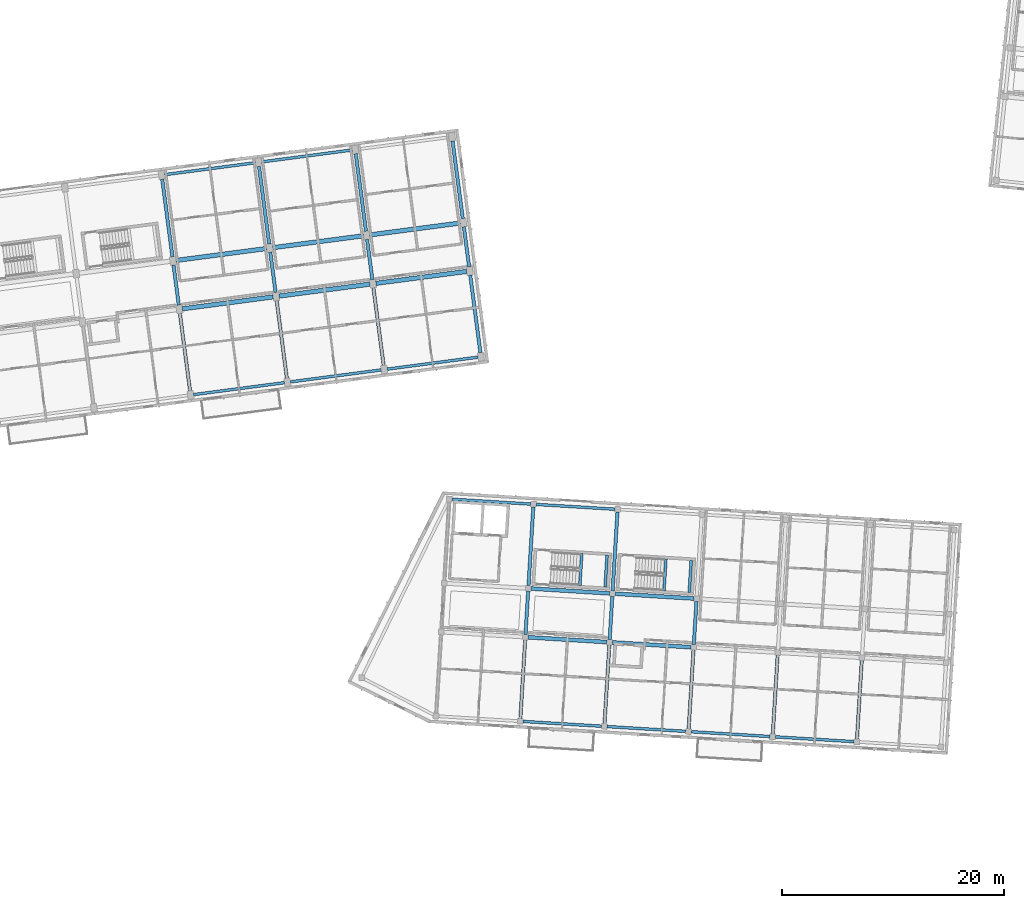
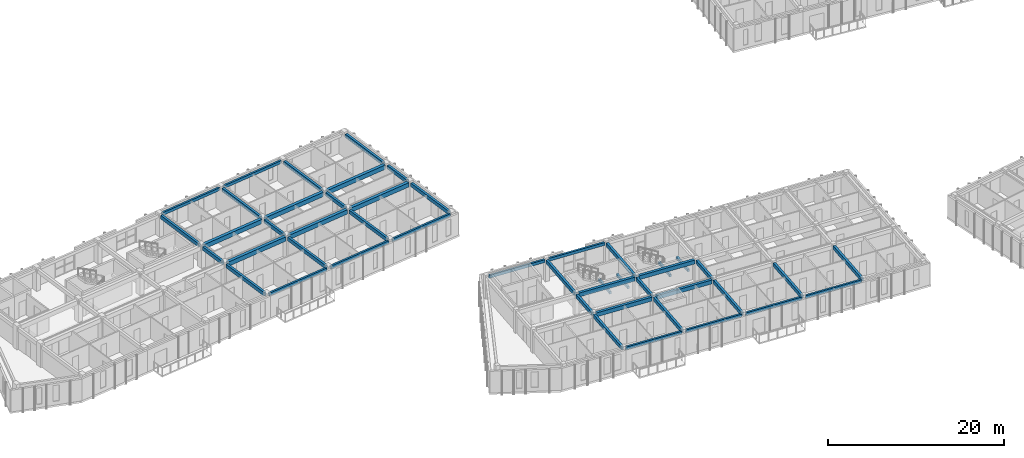
# One storey, part 5 of 68: 47 beams.
"""IFC4 building model written with IfcOpenShell, lengths in metres."""

from ifc_helpers import new_model, si_unit, direction, frame, origin, origin_2d, place, context, subcontext, project, spatial, rectangle, extrude, material, material_profile, profile_set, type_object, element, save


model = new_model("IFC4")

# Units and contexts
model_context = context("Model", 3, precision=1e-05, world=origin(), true_north=direction((0.0, 1.0)))
body_context = subcontext(model_context, "Body", "Model", "MODEL_VIEW")
ifc_project = project(units=[si_unit("LENGTHUNIT", "METRE"), si_unit("AREAUNIT", "SQUARE_METRE"), si_unit("VOLUMEUNIT", "CUBIC_METRE"), si_unit("PLANEANGLEUNIT", "RADIAN"), si_unit("MASSUNIT", "GRAM", prefix="KILO")], contexts=[model_context])

# Site, building, storey
site_placement = place(None, origin())
site = spatial("IfcSite", under=ifc_project, at=site_placement, CompositionType="ELEMENT")
building_placement = place(site_placement, origin())
building = spatial("IfcBuilding", under=site, at=building_placement, Name="Kestramere Prow Commons", CompositionType="ELEMENT")
storey_placement = place(building_placement, frame((0.0, 0.0, 18.14990234375)))
storey = spatial("IfcBuildingStorey", under=building, at=storey_placement, Name="L05", CompositionType="ELEMENT", Elevation=18.14990234375)

# Beams
ifc_material_1 = material(Name="Precast concrete C40/50", Category="concrete")
ifc_material_profile_1 = material_profile(ifc_material_1, rectangle(XDim=0.39990234375, YDim=0.60009765625, at=origin_2d()), Name="PC-BM 400x600")
ifc_profile_set_1 = profile_set([ifc_material_profile_1], Name="Precast concrete C40/50")
beam_type_1 = type_object("IfcBeamType", Name="BM-A1 PC-BM 400x600", PredefinedType="BEAM", material=ifc_profile_set_1)
beam_1_placement = place(storey_placement, frame((36.628662109375, 83.215087890625, 2.7001953125), z_axis=(0.991443917843, 0.130533358852, 0.0), x_axis=(-0.130533358852, 0.991443917843, 0.0)))
element("IfcBeam", 1, at=beam_1_placement, inside=storey, type_object=beam_type_1, Name="Block A L05 Longitudinal Beam 2-4", PredefinedType="BEAM", context=body_context, shape_type="SweptSolid", body=[
    extrude(rectangle(XDim=0.39990234375, YDim=0.60009765625, at=origin_2d()), origin(), (0.0, 0.0, 1.0), 8.25),
])
beam_2_placement = place(storey_placement, frame((45.353515625, 84.36376953125, 2.7001953125), z_axis=(0.991447243185, 0.130508099291, 0.0), x_axis=(-0.130508099291, 0.991447243185, 0.0)))
element("IfcBeam", 2, at=beam_2_placement, inside=storey, type_object=beam_type_1, Name="Block A L05 Longitudinal Beam 2-5", PredefinedType="BEAM", context=body_context, shape_type="SweptSolid", body=[
    extrude(rectangle(XDim=0.39990234375, YDim=0.60009765625, at=origin_2d()), origin(), (0.0, 0.0, 1.0), 8.249755859375),
])
for number, where, z_axis, x_axis, name in (
    (3, (54.078125, 85.51220703125, 2.7001953125), (0.991443917843, 0.130533358852, 0.0), (-0.130533358852, 0.991443917843, 0.0), "Block A L05 Longitudinal Beam 2-6"),
    (4, (36.054443359375, 87.577392578125, 2.7001953125), (0.991443917843, 0.130533358852, 0.0), (-0.130533358852, 0.991443917843, 0.0), "Block A L05 Longitudinal Beam 3-4"),
    (5, (44.779052734375, 88.72607421875, 2.7001953125), (0.991443917843, 0.130533358852, 0.0), (-0.130533358852, 0.991443917843, 0.0), "Block A L05 Longitudinal Beam 3-5"),
):
    element("IfcBeam", number, at=place(storey_placement, frame(where, z_axis=z_axis, x_axis=x_axis)), inside=storey, type_object=beam_type_1, Name=name, PredefinedType="BEAM", context=body_context, shape_type="SweptSolid", body=[
        extrude(rectangle(XDim=0.39990234375, YDim=0.60009765625, at=origin_2d()), origin(), (0.0, 0.0, 1.0), 8.25),
    ])
beam_3_placement = place(storey_placement, frame((53.50390625, 89.874755859375, 2.7001953125), z_axis=(0.991447243185, 0.130508099291, 0.0), x_axis=(-0.130508099291, 0.991447243185, 0.0)))
element("IfcBeam", 6, at=beam_3_placement, inside=storey, type_object=beam_type_1, Name="Block A L05 Longitudinal Beam 3-6", PredefinedType="BEAM", context=body_context, shape_type="SweptSolid", body=[
    extrude(rectangle(XDim=0.39990234375, YDim=0.60009765625, at=origin_2d()), origin(), (0.0, 0.0, 1.0), 8.249755859375),
])
ifc_material_profile_2 = material_profile(ifc_material_1, rectangle(XDim=0.35009765625, YDim=0.550048828125, at=origin_2d()), Name="PC-BM 350x550")
ifc_profile_set_2 = profile_set([ifc_material_profile_2], Name="Precast concrete C40/50")
beam_type_2 = type_object("IfcBeamType", Name="BM-C1 PC-BM 350x550", PredefinedType="BEAM", material=ifc_profile_set_2)
for number, where, z_axis, x_axis, name in (
    (7, (67.79931640625, 53.606689453125, 2.72509765625), (0.998133472633, -0.061070212127, 0.0), (0.061070212127, 0.998133472633, 0.0), "Block C L05 Longitudinal Beam 2-2"),
    (8, (75.38525390625, 53.142578125, 2.72509765625), (0.998135568114, -0.061035953884, 0.0), (0.061035953884, 0.998135568114, 0.0), "Block C L05 Longitudinal Beam 2-3"),
):
    element("IfcBeam", number, at=place(storey_placement, frame(where, z_axis=z_axis, x_axis=x_axis)), inside=storey, type_object=beam_type_2, Name=name, PredefinedType="BEAM", context=body_context, shape_type="SweptSolid", body=[
        extrude(rectangle(XDim=0.35009765625, YDim=0.550048828125, at=origin_2d()), origin(), (0.0, 0.0, 1.0), 7.099853515625),
    ])
beam_4_placement = place(storey_placement, frame((68.06787109375, 57.998291015625, 2.72509765625), z_axis=(0.99813569621, -0.061033859059, 0.0), x_axis=(0.061033859059, 0.99813569621, 0.0)))
element("IfcBeam", 9, at=beam_4_placement, inside=storey, type_object=beam_type_2, Name="Block C L05 Longitudinal Beam 3-2", PredefinedType="BEAM", context=body_context, shape_type="SweptSolid", body=[
    extrude(rectangle(XDim=0.35009765625, YDim=0.550048828125, at=origin_2d()), origin(), (0.0, 0.0, 1.0), 7.10009765625),
])
beam_5_placement = place(storey_placement, frame((75.65380859375, 57.534423828125, 2.72509765625), z_axis=(0.998135568114, -0.061035953884, 0.0), x_axis=(0.061035953884, 0.998135568114, 0.0)))
element("IfcBeam", 10, at=beam_5_placement, inside=storey, type_object=beam_type_2, Name="Block C L05 Longitudinal Beam 3-3", PredefinedType="BEAM", context=body_context, shape_type="SweptSolid", body=[
    extrude(rectangle(XDim=0.35009765625, YDim=0.550048828125, at=origin_2d()), origin(), (0.0, 0.0, 1.0), 7.099853515625),
])
ifc_material_2 = material(Name="Concrete C40/50", Category="concrete")
ifc_material_profile_3 = material_profile(ifc_material_2, rectangle(XDim=0.25, YDim=0.35009765625, at=origin_2d()), Name="PC-BM 250x350")
ifc_profile_set_3 = profile_set([ifc_material_profile_3], Name="Concrete C40/50")
beam_type_3 = type_object("IfcBeamType", Name="BM-ST-TRIM", PredefinedType="BEAM", material=ifc_profile_set_3)
for number, where, z_axis, x_axis, name in (
    (11, (72.462158203125, 58.260498046875, 1.25), (0.061073995712, 0.99813324113, 0.0), (-0.99813324113, 0.061073995712, 0.0), "ST-C1 L05 Landing Trimmer Beam 1A"),
    (12, (74.73779296875, 58.121337890625, 1.25), (0.061073995712, 0.99813324113, 0.0), (-0.99813324113, 0.061073995712, 0.0), "ST-C1 L05 Landing Trimmer Beam 1B"),
):
    element("IfcBeam", number, at=place(storey_placement, frame(where, z_axis=z_axis, x_axis=x_axis)), inside=storey, type_object=beam_type_3, Name=name, PredefinedType="BEAM", context=body_context, shape_type="SweptSolid", body=[
        extrude(rectangle(XDim=0.25, YDim=0.35009765625, at=origin_2d()), origin(), (0.0, 0.0, 1.0), 2.89013671875),
    ])
for number, where, z_axis, x_axis, name in (
    (13, (80.0478515625, 57.796630859375, 1.25), (0.06107914562, 0.998132926003, 0.0), (-0.998132926003, 0.06107914562, 0.0), "ST-C2 L05 Landing Trimmer Beam 1A"),
    (14, (82.32373046875, 57.657470703125, 1.25), (0.06107914562, 0.998132926003, 0.0), (-0.998132926003, 0.06107914562, 0.0), "ST-C2 L05 Landing Trimmer Beam 1B"),
):
    element("IfcBeam", number, at=place(storey_placement, frame(where, z_axis=z_axis, x_axis=x_axis)), inside=storey, type_object=beam_type_3, Name=name, PredefinedType="BEAM", context=body_context, shape_type="SweptSolid", body=[
        extrude(rectangle(XDim=0.25, YDim=0.35009765625, at=origin_2d()), origin(), (0.0, 0.0, 1.0), 2.889892578125),
    ])
ifc_material_profile_4 = material_profile(ifc_material_1, rectangle(XDim=0.300048828125, YDim=0.5, at=origin_2d()), Name="PC-BM 300x500")
ifc_profile_set_4 = profile_set([ifc_material_profile_4], Name="Precast concrete C40/50")
beam_type_4 = type_object("IfcBeamType", Name="BM-TIE-01 PC-BM 300x500", PredefinedType="BEAM", material=ifc_profile_set_4)
beam_6_placement = place(storey_placement, frame((37.3251953125, 75.817626953125, 2.75), z_axis=(-0.130519009654, 0.99144580695, 0.0), x_axis=(-0.99144580695, -0.130519009654, 0.0)))
element("IfcBeam", 15, at=beam_6_placement, inside=storey, type_object=beam_type_4, Name="Block A L05 Transverse Beam 4-1", PredefinedType="BEAM", context=body_context, shape_type="SweptSolid", body=[
    extrude(rectangle(XDim=0.300048828125, YDim=0.5, at=origin_2d()), origin(), (0.0, 0.0, 1.0), 7.050048828125),
])
beam_7_placement = place(storey_placement, frame((36.30712890625, 83.551025390625, 2.75), z_axis=(-0.130568711427, 0.991439262687, 0.0), x_axis=(-0.991439262687, -0.130568711427, 0.0)))
element("IfcBeam", 16, at=beam_7_placement, inside=storey, type_object=beam_type_4, Name="Block A L05 Transverse Beam 4-2", PredefinedType="BEAM", context=body_context, shape_type="SweptSolid", body=[
    extrude(rectangle(XDim=0.300048828125, YDim=0.5, at=origin_2d()), origin(), (0.0, 0.0, 1.0), 3.64990234375),
])
for number, where, z_axis, x_axis, name in (
    (17, (35.732666015625, 87.913330078125, 2.75), (-0.130519009654, 0.99144580695, 0.0), (-0.99144580695, -0.130519009654, 0.0), "Block A L05 Transverse Beam 4-3"),
    (18, (46.0498046875, 76.96630859375, 2.75), (-0.130519009654, 0.99144580695, 0.0), (-0.99144580695, -0.130519009654, 0.0), "Block A L05 Transverse Beam 5-1"),
):
    element("IfcBeam", number, at=place(storey_placement, frame(where, z_axis=z_axis, x_axis=x_axis)), inside=storey, type_object=beam_type_4, Name=name, PredefinedType="BEAM", context=body_context, shape_type="SweptSolid", body=[
        extrude(rectangle(XDim=0.300048828125, YDim=0.5, at=origin_2d()), origin(), (0.0, 0.0, 1.0), 7.050048828125),
    ])
beam_8_placement = place(storey_placement, frame((45.03173828125, 84.699462890625, 2.75), z_axis=(-0.130494307047, 0.991449058615, 0.0), x_axis=(-0.991449058615, -0.130494307047, 0.0)))
element("IfcBeam", 19, at=beam_8_placement, inside=storey, type_object=beam_type_4, Name="Block A L05 Transverse Beam 5-2", PredefinedType="BEAM", context=body_context, shape_type="SweptSolid", body=[
    extrude(rectangle(XDim=0.300048828125, YDim=0.5, at=origin_2d()), origin(), (0.0, 0.0, 1.0), 3.650146484375),
])
beam_9_placement = place(storey_placement, frame((44.45751953125, 89.06201171875, 2.75), z_axis=(-0.130523490966, 0.991445216997, 0.0), x_axis=(-0.991445216997, -0.130523490966, 0.0)))
element("IfcBeam", 20, at=beam_9_placement, inside=storey, type_object=beam_type_4, Name="Block A L05 Transverse Beam 5-3", PredefinedType="BEAM", context=body_context, shape_type="SweptSolid", body=[
    extrude(rectangle(XDim=0.300048828125, YDim=0.5, at=origin_2d()), origin(), (0.0, 0.0, 1.0), 7.0498046875),
])
beam_10_placement = place(storey_placement, frame((54.774658203125, 78.114990234375, 2.75), z_axis=(-0.130519009654, 0.99144580695, 0.0), x_axis=(-0.99144580695, -0.130519009654, 0.0)))
element("IfcBeam", 21, at=beam_10_placement, inside=storey, type_object=beam_type_4, Name="Block A L05 Transverse Beam 6-1", PredefinedType="BEAM", context=body_context, shape_type="SweptSolid", body=[
    extrude(rectangle(XDim=0.300048828125, YDim=0.5, at=origin_2d()), origin(), (0.0, 0.0, 1.0), 7.050048828125),
])
beam_11_placement = place(storey_placement, frame((53.756591796875, 85.84814453125, 2.75), z_axis=(-0.13056005306, 0.991440402921, 0.0), x_axis=(-0.991440402921, -0.13056005306, 0.0)))
element("IfcBeam", 22, at=beam_11_placement, inside=storey, type_object=beam_type_4, Name="Block A L05 Transverse Beam 6-2", PredefinedType="BEAM", context=body_context, shape_type="SweptSolid", body=[
    extrude(rectangle(XDim=0.300048828125, YDim=0.5, at=origin_2d()), origin(), (0.0, 0.0, 1.0), 3.650146484375),
])
for number, where, z_axis, x_axis, name in (
    (23, (53.18212890625, 90.210693359375, 2.75), (-0.130523490966, 0.991445216997, 0.0), (-0.991445216997, -0.130523490966, 0.0), "Block A L05 Transverse Beam 6-3"),
    (24, (63.499267578125, 79.263671875, 2.75), (-0.130523490966, 0.991445216997, 0.0), (-0.991445216997, -0.130523490966, 0.0), "Block A L05 Transverse Beam 7-1"),
):
    element("IfcBeam", number, at=place(storey_placement, frame(where, z_axis=z_axis, x_axis=x_axis)), inside=storey, type_object=beam_type_4, Name=name, PredefinedType="BEAM", context=body_context, shape_type="SweptSolid", body=[
        extrude(rectangle(XDim=0.300048828125, YDim=0.5, at=origin_2d()), origin(), (0.0, 0.0, 1.0), 7.0498046875),
    ])
beam_12_placement = place(storey_placement, frame((62.481201171875, 86.996826171875, 2.75), z_axis=(-0.130494307047, 0.991449058615, 0.0), x_axis=(-0.991449058615, -0.130494307047, 0.0)))
element("IfcBeam", 25, at=beam_12_placement, inside=storey, type_object=beam_type_4, Name="Block A L05 Transverse Beam 7-2", PredefinedType="BEAM", context=body_context, shape_type="SweptSolid", body=[
    extrude(rectangle(XDim=0.300048828125, YDim=0.5, at=origin_2d()), origin(), (0.0, 0.0, 1.0), 3.650146484375),
])
beam_13_placement = place(storey_placement, frame((61.906982421875, 91.359130859375, 2.75), z_axis=(-0.130519009654, 0.99144580695, 0.0), x_axis=(-0.99144580695, -0.130519009654, 0.0)))
element("IfcBeam", 26, at=beam_13_placement, inside=storey, type_object=beam_type_4, Name="Block A L05 Transverse Beam 7-3", PredefinedType="BEAM", context=body_context, shape_type="SweptSolid", body=[
    extrude(rectangle(XDim=0.300048828125, YDim=0.5, at=origin_2d()), origin(), (0.0, 0.0, 1.0), 7.050048828125),
])
beam_14_placement = place(storey_placement, frame((67.10107421875, 46.28564453125, 2.75), z_axis=(0.061035953884, 0.998135568114, 0.0), x_axis=(-0.998135568114, 0.061035953884, 0.0)))
element("IfcBeam", 27, at=beam_14_placement, inside=storey, type_object=beam_type_4, Name="Block C L05 Transverse Beam 2-1", PredefinedType="BEAM", context=body_context, shape_type="SweptSolid", body=[
    extrude(rectangle(XDim=0.300048828125, YDim=0.5, at=origin_2d()), origin(), (0.0, 0.0, 1.0), 7.099853515625),
])
beam_15_placement = place(storey_placement, frame((67.56494140625, 53.871337890625, 2.75), z_axis=(0.061096063045, 0.998131890624, 0.0), x_axis=(-0.998131890624, 0.061096063045, 0.0)))
element("IfcBeam", 28, at=beam_15_placement, inside=storey, type_object=beam_type_4, Name="Block C L05 Transverse Beam 2-2", PredefinedType="BEAM", context=body_context, shape_type="SweptSolid", body=[
    extrude(rectangle(XDim=0.300048828125, YDim=0.5, at=origin_2d()), origin(), (0.0, 0.0, 1.0), 3.900146484375),
])
beam_16_placement = place(storey_placement, frame((67.833740234375, 58.26318359375, 2.75), z_axis=(0.061035953884, 0.998135568114, 0.0), x_axis=(-0.998135568114, 0.061035953884, 0.0)))
element("IfcBeam", 29, at=beam_16_placement, inside=storey, type_object=beam_type_4, Name="Block C L05 Transverse Beam 2-3", PredefinedType="BEAM", context=body_context, shape_type="SweptSolid", body=[
    extrude(rectangle(XDim=0.300048828125, YDim=0.5, at=origin_2d()), origin(), (0.0, 0.0, 1.0), 7.099853515625),
])
beam_17_placement = place(storey_placement, frame((74.68701171875, 45.821533203125, 2.75), z_axis=(0.061033859059, 0.99813569621, 0.0), x_axis=(-0.99813569621, 0.061033859059, 0.0)))
element("IfcBeam", 30, at=beam_17_placement, inside=storey, type_object=beam_type_4, Name="Block C L05 Transverse Beam 3-1", PredefinedType="BEAM", context=body_context, shape_type="SweptSolid", body=[
    extrude(rectangle(XDim=0.300048828125, YDim=0.5, at=origin_2d()), origin(), (0.0, 0.0, 1.0), 7.10009765625),
])
beam_18_placement = place(storey_placement, frame((75.15087890625, 53.407470703125, 2.75), z_axis=(0.061037511668, 0.998135472854, 0.0), x_axis=(-0.998135472854, 0.061037511668, 0.0)))
element("IfcBeam", 31, at=beam_18_placement, inside=storey, type_object=beam_type_4, Name="Block C L05 Transverse Beam 3-2", PredefinedType="BEAM", context=body_context, shape_type="SweptSolid", body=[
    extrude(rectangle(XDim=0.300048828125, YDim=0.5, at=origin_2d()), origin(), (0.0, 0.0, 1.0), 3.89990234375),
])
for number, where, z_axis, x_axis, name in (
    (32, (75.41943359375, 57.79931640625, 2.75), (0.061070212127, 0.998133472633, 0.0), (-0.998133472633, 0.061070212127, 0.0), "Block C L05 Transverse Beam 3-3"),
    (33, (82.272705078125, 45.357666015625, 2.75), (0.061070212127, 0.998133472633, 0.0), (-0.998133472633, 0.061070212127, 0.0), "Block C L05 Transverse Beam 4-1"),
):
    element("IfcBeam", number, at=place(storey_placement, frame(where, z_axis=z_axis, x_axis=x_axis)), inside=storey, type_object=beam_type_4, Name=name, PredefinedType="BEAM", context=body_context, shape_type="SweptSolid", body=[
        extrude(rectangle(XDim=0.300048828125, YDim=0.5, at=origin_2d()), origin(), (0.0, 0.0, 1.0), 7.099853515625),
    ])
beam_19_placement = place(storey_placement, frame((82.73681640625, 52.943359375, 2.75), z_axis=(0.061033697925, 0.998135706063, 0.0), x_axis=(-0.998135706063, 0.061033697925, 0.0)))
element("IfcBeam", 34, at=beam_19_placement, inside=storey, type_object=beam_type_4, Name="Block C L05 Transverse Beam 4-2", PredefinedType="BEAM", context=body_context, shape_type="SweptSolid", body=[
    extrude(rectangle(XDim=0.300048828125, YDim=0.5, at=origin_2d()), origin(), (0.0, 0.0, 1.0), 3.900146484375),
])
beam_20_placement = place(storey_placement, frame((89.858642578125, 44.8935546875, 2.75), z_axis=(0.061033859059, 0.99813569621, 0.0), x_axis=(-0.99813569621, 0.061033859059, 0.0)))
element("IfcBeam", 35, at=beam_20_placement, inside=storey, type_object=beam_type_4, Name="Block C L05 Transverse Beam 5-1", PredefinedType="BEAM", context=body_context, shape_type="SweptSolid", body=[
    extrude(rectangle(XDim=0.300048828125, YDim=0.5, at=origin_2d()), origin(), (0.0, 0.0, 1.0), 7.10009765625),
])
beam_21_placement = place(storey_placement, frame((97.4443359375, 44.4296875, 2.75), z_axis=(0.061070212127, 0.998133472633, 0.0), x_axis=(-0.998133472633, 0.061070212127, 0.0)))
element("IfcBeam", 36, at=beam_21_placement, inside=storey, type_object=beam_type_4, Name="Block C L05 Transverse Beam 6-1", PredefinedType="BEAM", context=body_context, shape_type="SweptSolid", body=[
    extrude(rectangle(XDim=0.300048828125, YDim=0.5, at=origin_2d()), origin(), (0.0, 0.0, 1.0), 7.099853515625),
])
ifc_material_profile_5 = material_profile(ifc_material_1, rectangle(XDim=0.25, YDim=0.39990234375, at=origin_2d()), Name="PC-SP 250x400")
ifc_profile_set_5 = profile_set([ifc_material_profile_5], Name="Precast concrete C40/50")
beam_type_5 = type_object("IfcBeamType", Name="SP-EXT-01 PC-SP 250x400", PredefinedType="SPANDREL", material=ifc_profile_set_5)
for number, where, z_axis, x_axis, name in (
    (37, (37.646728515625, 75.481689453125, 2.800048828125), (0.991443917843, 0.130533358852, 0.0), (-0.130533358852, 0.991443917843, 0.0), "Block A L05 Longitudinal Beam 1-4"),
    (38, (46.37158203125, 76.63037109375, 2.800048828125), (0.991443917843, 0.130533358852, 0.0), (-0.130533358852, 0.991443917843, 0.0), "Block A L05 Longitudinal Beam 1-5"),
    (39, (55.09619140625, 77.779052734375, 2.800048828125), (0.991443917843, 0.130533358852, 0.0), (-0.130533358852, 0.991443917843, 0.0), "Block A L05 Longitudinal Beam 1-6"),
):
    element("IfcBeam", number, at=place(storey_placement, frame(where, z_axis=z_axis, x_axis=x_axis)), inside=storey, type_object=beam_type_5, Name=name, PredefinedType="SPANDREL", context=body_context, shape_type="SweptSolid", body=[
        extrude(rectangle(XDim=0.25, YDim=0.39990234375, at=origin_2d()), origin(), (0.0, 0.0, 1.0), 8.25),
    ])
beam_22_placement = place(storey_placement, frame((35.036376953125, 95.310791015625, 2.800048828125), z_axis=(0.991447243185, 0.130508099291, 0.0), x_axis=(-0.130508099291, 0.991447243185, 0.0)))
element("IfcBeam", 40, at=beam_22_placement, inside=storey, type_object=beam_type_5, Name="Block A L05 Longitudinal Beam 4-4", PredefinedType="SPANDREL", context=body_context, shape_type="SweptSolid", body=[
    extrude(rectangle(XDim=0.25, YDim=0.39990234375, at=origin_2d()), origin(), (0.0, 0.0, 1.0), 8.249755859375),
])
beam_23_placement = place(storey_placement, frame((43.760986328125, 96.459228515625, 2.800048828125), z_axis=(0.991443917843, 0.130533358852, 0.0), x_axis=(-0.130533358852, 0.991443917843, 0.0)))
element("IfcBeam", 41, at=beam_23_placement, inside=storey, type_object=beam_type_5, Name="Block A L05 Longitudinal Beam 4-5", PredefinedType="SPANDREL", context=body_context, shape_type="SweptSolid", body=[
    extrude(rectangle(XDim=0.25, YDim=0.39990234375, at=origin_2d()), origin(), (0.0, 0.0, 1.0), 8.25),
])
beam_24_placement = place(storey_placement, frame((67.33544921875, 46.020751953125, 2.800048828125), z_axis=(0.998135568114, -0.061035953884, 0.0), x_axis=(0.061035953884, 0.998135568114, 0.0)))
element("IfcBeam", 42, at=beam_24_placement, inside=storey, type_object=beam_type_5, Name="Block C L05 Longitudinal Beam 1-2", PredefinedType="SPANDREL", context=body_context, shape_type="SweptSolid", body=[
    extrude(rectangle(XDim=0.25, YDim=0.39990234375, at=origin_2d()), origin(), (0.0, 0.0, 1.0), 7.099853515625),
])
beam_25_placement = place(storey_placement, frame((74.921142578125, 45.556884765625, 2.800048828125), z_axis=(0.998133600873, -0.061068116134, 0.0), x_axis=(0.061068116134, 0.998133600873, 0.0)))
element("IfcBeam", 43, at=beam_25_placement, inside=storey, type_object=beam_type_5, Name="Block C L05 Longitudinal Beam 1-3", PredefinedType="SPANDREL", context=body_context, shape_type="SweptSolid", body=[
    extrude(rectangle(XDim=0.25, YDim=0.39990234375, at=origin_2d()), origin(), (0.0, 0.0, 1.0), 7.10009765625),
])
beam_26_placement = place(storey_placement, frame((82.507080078125, 45.0927734375, 2.800048828125), z_axis=(0.998135568114, -0.061035953884, 0.0), x_axis=(0.061035953884, 0.998135568114, 0.0)))
element("IfcBeam", 44, at=beam_26_placement, inside=storey, type_object=beam_type_5, Name="Block C L05 Longitudinal Beam 1-4", PredefinedType="SPANDREL", context=body_context, shape_type="SweptSolid", body=[
    extrude(rectangle(XDim=0.25, YDim=0.39990234375, at=origin_2d()), origin(), (0.0, 0.0, 1.0), 7.099853515625),
])
for number, where, z_axis, x_axis, name in (
    (45, (90.0927734375, 44.62890625, 2.800048828125), (0.998133600873, -0.061068116134, 0.0), (0.061068116134, 0.998133600873, 0.0), "Block C L05 Longitudinal Beam 1-5"),
    (46, (60.946044921875, 66.048095703125, 2.800048828125), (0.99813569621, -0.061033859059, 0.0), (0.061033859059, 0.99813569621, 0.0), "Block C L05 Longitudinal Beam 4-1"),
):
    element("IfcBeam", number, at=place(storey_placement, frame(where, z_axis=z_axis, x_axis=x_axis)), inside=storey, type_object=beam_type_5, Name=name, PredefinedType="SPANDREL", context=body_context, shape_type="SweptSolid", body=[
        extrude(rectangle(XDim=0.25, YDim=0.39990234375, at=origin_2d()), origin(), (0.0, 0.0, 1.0), 7.10009765625),
    ])
beam_27_placement = place(storey_placement, frame((68.531982421875, 65.584228515625, 2.800048828125), z_axis=(0.998135568114, -0.061035953884, 0.0), x_axis=(0.061035953884, 0.998135568114, 0.0)))
element("IfcBeam", 47, at=beam_27_placement, inside=storey, type_object=beam_type_5, Name="Block C L05 Longitudinal Beam 4-2", PredefinedType="SPANDREL", context=body_context, shape_type="SweptSolid", body=[
    extrude(rectangle(XDim=0.25, YDim=0.39990234375, at=origin_2d()), origin(), (0.0, 0.0, 1.0), 7.099853515625),
])

save(model, "model.ifc")
